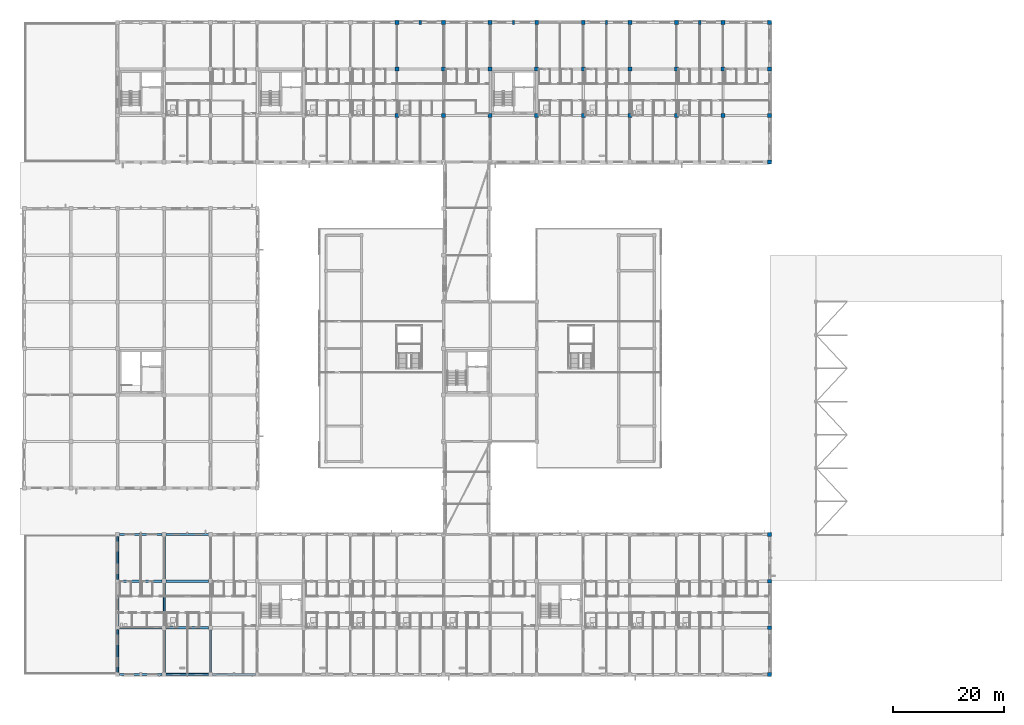
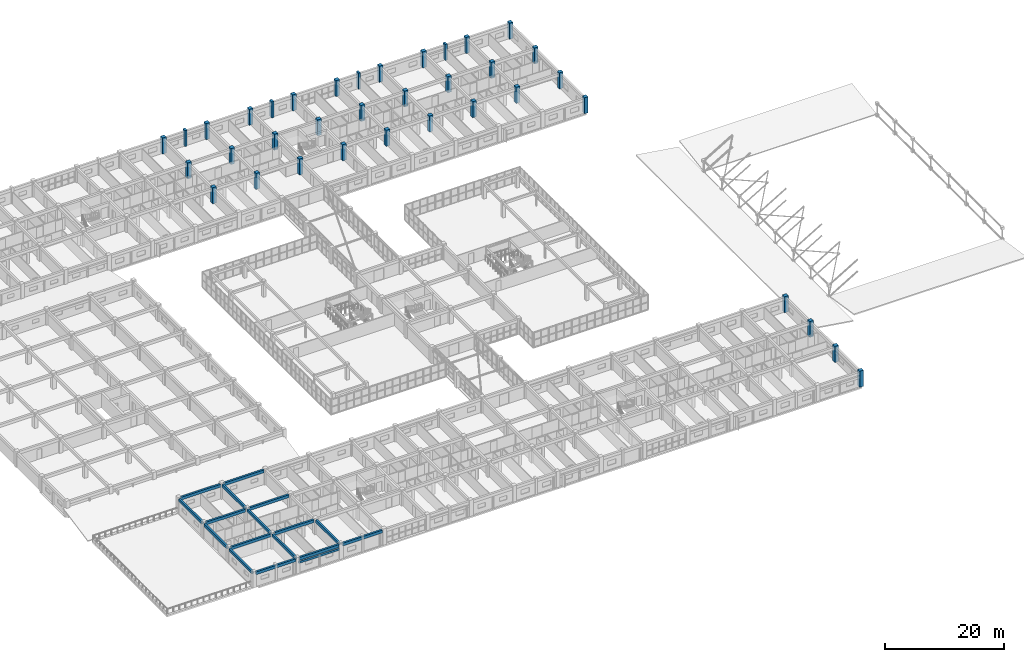
# One storey, part 11 of 148: 36 columns, 17 beams.
"""IFC4 building model written with IfcOpenShell, lengths in metres."""

from ifc_helpers import new_model, si_unit, direction, frame, origin, origin_2d, place, context, subcontext, project, spatial, rectangle, extrude, material, material_profile, profile_set, type_object, element, save


model = new_model("IFC4")

# Units and contexts
model_context = context("Model", 3, precision=1e-05, world=origin(), true_north=direction((0.0, 1.0)))
body_context = subcontext(model_context, "Body", "Model", "MODEL_VIEW")
ifc_project = project(units=[si_unit("LENGTHUNIT", "METRE"), si_unit("AREAUNIT", "SQUARE_METRE"), si_unit("VOLUMEUNIT", "CUBIC_METRE"), si_unit("PLANEANGLEUNIT", "RADIAN"), si_unit("MASSUNIT", "GRAM", prefix="KILO")], contexts=[model_context])

# Site, building, storey
site_placement = place(None, origin())
site = spatial("IfcSite", under=ifc_project, at=site_placement, CompositionType="ELEMENT")
building_placement = place(site_placement, origin())
building = spatial("IfcBuilding", under=site, at=building_placement, Name="Trelvath General Hospital", CompositionType="ELEMENT")
storey_placement = place(building_placement, frame((0.0, 0.0, 12.89990234375)))
storey = spatial("IfcBuildingStorey", under=building, at=storey_placement, Name="L03", CompositionType="ELEMENT", Elevation=12.89990234375)

# Columns
ifc_material_1 = material(Name="Concrete C40/50", Category="concrete")
ifc_material_profile_1 = material_profile(ifc_material_1, rectangle(XDim=0.699951171875, YDim=0.699951171875, at=origin_2d()), Name="RC700x700")
ifc_profile_set_1 = profile_set([ifc_material_profile_1], Name="Concrete C40/50")
column_type_1 = type_object("IfcColumnType", Name="Column RC700", PredefinedType="COLUMN", material=ifc_profile_set_1)
for number, where, z_axis, x_axis, name in (
    (1, (67.199951171875, 117.60009765625, 0.0), (0.0, 0.0, 1.0), (1.0, 0.0, 0.0), "Column C-9O L03"),
    (2, (75.60009765625, 117.60009765625, 0.0), (0.0, 0.0, 1.0), (1.0, 0.0, 0.0), "Column C-10O L03"),
    (3, (84.0, 117.60009765625, 0.0), (0.0, 0.0, 1.0), (1.0, 0.0, 0.0), "Column C-11O L03"),
    (4, (92.39990234375, 117.60009765625, 0.0), (0.0, 0.0, 1.0), (1.0, 0.0, 0.0), "Column C-12O L03"),
    (5, (100.800048828125, 117.60009765625, 0.0), (0.0, 0.0, 1.0), (1.0, 0.0, 0.0), "Column C-13O L03"),
    (6, (109.199951171875, 117.60009765625, 0.0), (0.0, 0.0, 1.0), (1.0, 0.0, 0.0), "Column C-14O L03"),
    (7, (117.60009765625, 117.60009765625, 0.0), (0.0, 0.0, 1.0), (1.0, 0.0, 0.0), "Column C-15O L03"),
    (8, (126.0, 117.60009765625, 0.0), (0.0, 0.0, 1.0), (1.0, 0.0, 0.0), "Column C-16O L03"),
    (9, (134.39990234375, 0.0, 0.0), (0.0, 0.0, 1.0), (1.0, 0.0, 0.0), "Column C-17A L03"),
    (10, (134.39990234375, 8.39990234375, 0.0), (0.0, 0.0, 1.0), (1.0, 0.0, 0.0), "Column C-17B L03"),
    (11, (134.39990234375, 16.800048828125, 0.0), (0.0, 0.0, 1.0), (1.0, 0.0, 0.0), "Column C-17C L03"),
    (12, (134.39990234375, 25.199951171875, 0.0), (0.0, 0.0, 1.0), (1.0, 0.0, 0.0), "Column C-17D L03"),
    (13, (134.39990234375, 92.39990234375, 0.0), (0.0, 0.0, 1.0), (1.0, 0.0, 0.0), "Column C-17L L03"),
    (14, (134.39990234375, 100.800048828125, 0.0), (0.0, 0.0, 1.0), (1.0, 0.0, 0.0), "Column C-17M L03"),
    (15, (134.39990234375, 109.199951171875, 0.0), (0.0, 0.0, 1.0), (1.0, 0.0, 0.0), "Column C-17N L03"),
    (16, (134.39990234375, 117.60009765625, 0.0), (0.0, 0.0, 1.0), (1.0, 0.0, 0.0), "Column C-17O L03"),
):
    element("IfcColumn", number, at=place(storey_placement, frame(where, z_axis=z_axis, x_axis=x_axis)), inside=storey, type_object=column_type_1, Name=name, PredefinedType="COLUMN", context=body_context, shape_type="SweptSolid", body=[
        extrude(rectangle(XDim=0.699951171875, YDim=0.699951171875, at=origin_2d()), origin(), (0.0, 0.0, 1.0), 3.300048828125),
    ])
ifc_material_2 = material(Name="Concrete C40/50", Category="concrete")
ifc_material_profile_2 = material_profile(ifc_material_2, rectangle(XDim=0.719970703125, YDim=0.719970703125, at=origin_2d()), Name="RC720x720")
ifc_profile_set_2 = profile_set([ifc_material_profile_2], Name="Concrete C40/50")
column_type_2 = type_object("IfcColumnType", Name="Column RC720", PredefinedType="COLUMN", material=ifc_profile_set_2)
for number, where, z_axis, x_axis, name in (
    (17, (67.199951171875, 100.800048828125, 0.0), (0.0, 0.0, 1.0), (1.0, 0.0, 0.0), "Column C-9M L03"),
    (18, (67.199951171875, 109.199951171875, 0.0), (0.0, 0.0, 1.0), (1.0, 0.0, 0.0), "Column C-9N L03"),
    (19, (75.60009765625, 100.800048828125, 0.0), (0.0, 0.0, 1.0), (1.0, 0.0, 0.0), "Column C-10M L03"),
    (20, (75.60009765625, 109.199951171875, 0.0), (0.0, 0.0, 1.0), (1.0, 0.0, 0.0), "Column C-10N L03"),
    (21, (84.0, 100.800048828125, 0.0), (0.0, 0.0, 1.0), (1.0, 0.0, 0.0), "Column C-11M L03"),
    (22, (84.0, 109.199951171875, 0.0), (0.0, 0.0, 1.0), (1.0, 0.0, 0.0), "Column C-11N L03"),
    (23, (92.39990234375, 100.800048828125, 0.0), (0.0, 0.0, 1.0), (1.0, 0.0, 0.0), "Column C-12M L03"),
    (24, (92.39990234375, 109.199951171875, 0.0), (0.0, 0.0, 1.0), (1.0, 0.0, 0.0), "Column C-12N L03"),
    (25, (100.800048828125, 100.800048828125, 0.0), (0.0, 0.0, 1.0), (1.0, 0.0, 0.0), "Column C-13M L03"),
    (26, (100.800048828125, 109.199951171875, 0.0), (0.0, 0.0, 1.0), (1.0, 0.0, 0.0), "Column C-13N L03"),
    (27, (109.199951171875, 100.800048828125, 0.0), (0.0, 0.0, 1.0), (1.0, 0.0, 0.0), "Column C-14M L03"),
    (28, (109.199951171875, 109.199951171875, 0.0), (0.0, 0.0, 1.0), (1.0, 0.0, 0.0), "Column C-14N L03"),
    (29, (117.60009765625, 100.800048828125, 0.0), (0.0, 0.0, 1.0), (1.0, 0.0, 0.0), "Column C-15M L03"),
    (30, (117.60009765625, 109.199951171875, 0.0), (0.0, 0.0, 1.0), (1.0, 0.0, 0.0), "Column C-15N L03"),
    (31, (126.0, 100.800048828125, 0.0), (0.0, 0.0, 1.0), (1.0, 0.0, 0.0), "Column C-16M L03"),
    (32, (126.0, 109.199951171875, 0.0), (0.0, 0.0, 1.0), (1.0, 0.0, 0.0), "Column C-16N L03"),
):
    element("IfcColumn", number, at=place(storey_placement, frame(where, z_axis=z_axis, x_axis=x_axis)), inside=storey, type_object=column_type_2, Name=name, PredefinedType="COLUMN", context=body_context, shape_type="SweptSolid", body=[
        extrude(rectangle(XDim=0.719970703125, YDim=0.719970703125, at=origin_2d()), origin(), (0.0, 0.0, 1.0), 3.300048828125),
    ])
ifc_material_3 = material(Name="Concrete C40/50", Category="concrete")
ifc_material_profile_3 = material_profile(ifc_material_3, rectangle(XDim=0.39990234375, YDim=0.699951171875, at=origin_2d()), Name="RC400x700")
ifc_profile_set_3 = profile_set([ifc_material_profile_3], Name="Concrete C40/50")
column_type_3 = type_object("IfcColumnType", Name="Pilaster RC400x700", PredefinedType="PILASTER", material=ifc_profile_set_3)
for number, where, z_axis, x_axis, name in (
    (33, (71.39990234375, 117.60009765625, 0.0), (0.0, 0.0, 1.0), (1.0, 0.0, 0.0), "Facade Pilaster PL-N08 L03"),
    (34, (88.199951171875, 117.60009765625, 0.0), (0.0, 0.0, 1.0), (1.0, 0.0, 0.0), "Facade Pilaster PL-N10 L03"),
    (35, (105.0, 117.60009765625, 0.0), (0.0, 0.0, 1.0), (1.0, 0.0, 0.0), "Facade Pilaster PL-N12 L03"),
    (36, (121.800048828125, 117.60009765625, 0.0), (0.0, 0.0, 1.0), (1.0, 0.0, 0.0), "Facade Pilaster PL-N14 L03"),
):
    element("IfcColumn", number, at=place(storey_placement, frame(where, z_axis=z_axis, x_axis=x_axis)), inside=storey, type_object=column_type_3, Name=name, PredefinedType="PILASTER", context=body_context, shape_type="SweptSolid", body=[
        extrude(rectangle(XDim=0.39990234375, YDim=0.699951171875, at=origin_2d()), origin(), (0.0, 0.0, 1.0), 3.300048828125),
    ])

# Beams
ifc_material_4 = material(Name="Concrete C35/45", Category="concrete")
ifc_material_profile_4 = material_profile(ifc_material_4, rectangle(XDim=0.360107421875, YDim=0.56005859375, at=origin_2d()), Name="RCB360x560")
ifc_profile_set_4 = profile_set([ifc_material_profile_4], Name="Concrete C35/45")
beam_type_1 = type_object("IfcBeamType", Name="Beam RC360x560", PredefinedType="BEAM", material=ifc_profile_set_4)
for number, where, z_axis, x_axis, name in (
    (37, (16.800048828125, 0.344970703125, 2.739990234375), (0.0, 1.0, 0.0), (-1.0, 0.0, 0.0), "Grid Beam BY-302A"),
    (38, (16.800048828125, 8.7451171875, 2.739990234375), (0.0, 1.0, 0.0), (-1.0, 0.0, 0.0), "Grid Beam BY-302B"),
    (39, (16.800048828125, 17.14501953125, 2.739990234375), (0.0, 1.0, 0.0), (-1.0, 0.0, 0.0), "Grid Beam BY-302C"),
):
    element("IfcBeam", number, at=place(storey_placement, frame(where, z_axis=z_axis, x_axis=x_axis)), inside=storey, type_object=beam_type_1, Name=name, PredefinedType="BEAM", context=body_context, shape_type="SweptSolid", body=[
        extrude(rectangle(XDim=0.360107421875, YDim=0.56005859375, at=origin_2d()), origin(), (0.0, 0.0, 1.0), 7.7099609375),
    ])
beam_1_placement = place(storey_placement, frame((25.199951171875, 0.344970703125, 2.739990234375), z_axis=(0.0, 1.0, 0.0), x_axis=(-1.0, 0.0, 0.0)))
element("IfcBeam", 40, at=beam_1_placement, inside=storey, type_object=beam_type_1, Name="Grid Beam BY-303A", PredefinedType="BEAM", context=body_context, shape_type="SweptSolid", body=[
    extrude(rectangle(XDim=0.360107421875, YDim=0.56005859375, at=origin_2d()), origin(), (0.0, 0.0, 1.0), 7.699951171875),
])
beam_2_placement = place(storey_placement, frame((25.199951171875, 8.7548828125, 2.739990234375), z_axis=(0.0, 1.0, 0.0), x_axis=(-1.0, 0.0, 0.0)))
element("IfcBeam", 41, at=beam_2_placement, inside=storey, type_object=beam_type_1, Name="Grid Beam BY-303B", PredefinedType="BEAM", context=body_context, shape_type="SweptSolid", body=[
    extrude(rectangle(XDim=0.360107421875, YDim=0.56005859375, at=origin_2d()), origin(), (0.0, 0.0, 1.0), 7.690185546875),
])
for number, where, z_axis, x_axis, name in (
    (42, (25.199951171875, 17.155029296875, 2.739990234375), (0.0, 1.0, 0.0), (-1.0, 0.0, 0.0), "Grid Beam BY-303C"),
    (43, (33.60009765625, 0.344970703125, 2.739990234375), (0.0, 1.0, 0.0), (-1.0, 0.0, 0.0), "Grid Beam BY-304A"),
):
    element("IfcBeam", number, at=place(storey_placement, frame(where, z_axis=z_axis, x_axis=x_axis)), inside=storey, type_object=beam_type_1, Name=name, PredefinedType="BEAM", context=body_context, shape_type="SweptSolid", body=[
        extrude(rectangle(XDim=0.360107421875, YDim=0.56005859375, at=origin_2d()), origin(), (0.0, 0.0, 1.0), 7.699951171875),
    ])
ifc_material_5 = material(Name="Concrete C35/45", Category="concrete")
ifc_material_profile_5 = material_profile(ifc_material_5, rectangle(XDim=0.3798828125, YDim=0.580078125, at=origin_2d()), Name="RCB380x580")
ifc_profile_set_5 = profile_set([ifc_material_profile_5], Name="Concrete C35/45")
beam_type_2 = type_object("IfcBeamType", Name="Beam RC380x580", PredefinedType="BEAM", material=ifc_profile_set_5)
beam_3_placement = place(storey_placement, frame((17.14501953125, 0.0, 2.72998046875), z_axis=(1.0, 0.0, 0.0), x_axis=(0.0, 1.0, 0.0)))
element("IfcBeam", 44, at=beam_3_placement, inside=storey, type_object=beam_type_2, Name="Grid Beam BX-302A", PredefinedType="BEAM", context=body_context, shape_type="SweptSolid", body=[
    extrude(rectangle(XDim=0.3798828125, YDim=0.580078125, at=origin_2d()), origin(), (0.0, 0.0, 1.0), 7.7099609375),
])
for number, where, z_axis, x_axis, name in (
    (45, (17.14501953125, 8.39990234375, 2.72998046875), (1.0, 0.0, 0.0), (0.0, 1.0, 0.0), "Grid Beam BX-302B"),
    (46, (17.14501953125, 16.800048828125, 2.72998046875), (1.0, 0.0, 0.0), (0.0, 1.0, 0.0), "Grid Beam BX-302C"),
):
    element("IfcBeam", number, at=place(storey_placement, frame(where, z_axis=z_axis, x_axis=x_axis)), inside=storey, type_object=beam_type_2, Name=name, PredefinedType="BEAM", context=body_context, shape_type="SweptSolid", body=[
        extrude(rectangle(XDim=0.3798828125, YDim=0.580078125, at=origin_2d()), origin(), (0.0, 0.0, 1.0), 7.699951171875),
    ])
for number, where, z_axis, x_axis, name in (
    (47, (17.14501953125, 25.199951171875, 2.72998046875), (1.0, 0.0, 0.0), (0.0, 1.0, 0.0), "Grid Beam BX-302D"),
    (48, (25.544921875, 0.0, 2.72998046875), (1.0, 0.0, 0.0), (0.0, 1.0, 0.0), "Grid Beam BX-303A"),
):
    element("IfcBeam", number, at=place(storey_placement, frame(where, z_axis=z_axis, x_axis=x_axis)), inside=storey, type_object=beam_type_2, Name=name, PredefinedType="BEAM", context=body_context, shape_type="SweptSolid", body=[
        extrude(rectangle(XDim=0.3798828125, YDim=0.580078125, at=origin_2d()), origin(), (0.0, 0.0, 1.0), 7.7099609375),
    ])
for number, where, z_axis, x_axis, name in (
    (49, (25.554931640625, 8.39990234375, 2.72998046875), (1.0, 0.0, 0.0), (0.0, 1.0, 0.0), "Grid Beam BX-303B"),
    (50, (25.554931640625, 16.800048828125, 2.72998046875), (1.0, 0.0, 0.0), (0.0, 1.0, 0.0), "Grid Beam BX-303C"),
):
    element("IfcBeam", number, at=place(storey_placement, frame(where, z_axis=z_axis, x_axis=x_axis)), inside=storey, type_object=beam_type_2, Name=name, PredefinedType="BEAM", context=body_context, shape_type="SweptSolid", body=[
        extrude(rectangle(XDim=0.3798828125, YDim=0.580078125, at=origin_2d()), origin(), (0.0, 0.0, 1.0), 7.690185546875),
    ])
for number, where, z_axis, x_axis, name in (
    (51, (25.544921875, 25.199951171875, 2.72998046875), (1.0, 0.0, 0.0), (0.0, 1.0, 0.0), "Grid Beam BX-303D"),
    (52, (33.945068359375, 0.0, 2.72998046875), (1.0, 0.0, 0.0), (0.0, 1.0, 0.0), "Grid Beam BX-304A"),
):
    element("IfcBeam", number, at=place(storey_placement, frame(where, z_axis=z_axis, x_axis=x_axis)), inside=storey, type_object=beam_type_2, Name=name, PredefinedType="BEAM", context=body_context, shape_type="SweptSolid", body=[
        extrude(rectangle(XDim=0.3798828125, YDim=0.580078125, at=origin_2d()), origin(), (0.0, 0.0, 1.0), 7.7099609375),
    ])
ifc_material_6 = material(Name="Precast concrete C40/50", Category="concrete")
ifc_material_profile_6 = material_profile(ifc_material_6, rectangle(XDim=0.35009765625, YDim=0.419921875, at=origin_2d()), Name="PCL350x420")
ifc_profile_set_6 = profile_set([ifc_material_profile_6], Name="Precast concrete C40/50")
beam_type_3 = type_object("IfcBeamType", Name="Lintel PC350x420", PredefinedType="LINTEL", material=ifc_profile_set_6)
beam_4_placement = place(storey_placement, frame((33.3349609375, 0.0, 2.02001953125), z_axis=(-1.0, 0.0, 0.0), x_axis=(0.0, -1.0, 0.0)))
element("IfcBeam", 53, at=beam_4_placement, inside=storey, type_object=beam_type_3, Name="Precast Window Brow Lintel L03-348", PredefinedType="LINTEL", context=body_context, shape_type="SweptSolid", body=[
    extrude(rectangle(XDim=0.35009765625, YDim=0.419921875, at=origin_2d()), origin(), (0.0, 0.0, 1.0), 7.869873046875),
])

save(model, "model.ifc")
